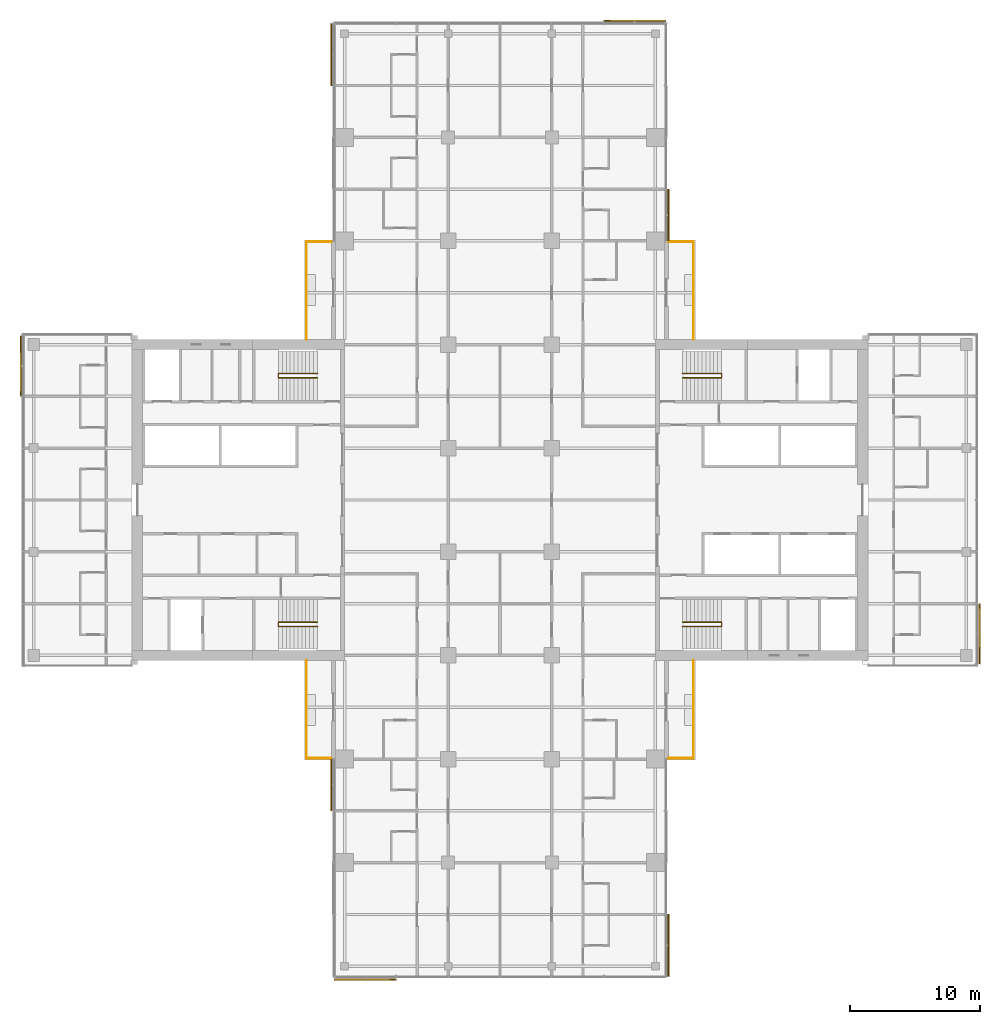
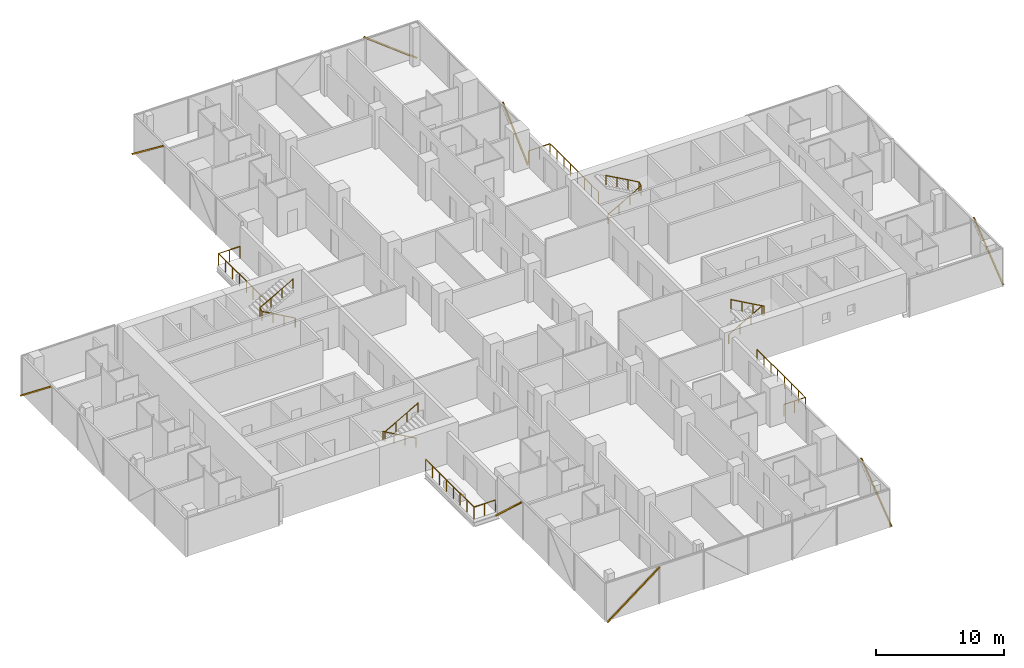
# One storey, part 27 of 27: 8 railings, 8 shading devices, 8 elements without a shape of their own.
"""IFC4 building model written with IfcOpenShell, lengths in metres."""

import ifcopenshell
import ifcopenshell.guid

model = None  # the IFC model being written
_history = None  # IfcOwnerHistory: only IFC2X3 demands one
_inside = {}  # id of a spatial element -> (the spatial element, [elements in it])
_under = {}  # id of a project, library or spatial element -> (it, [spatial elements below it])
_declared = {}  # id of a project -> (the project, [libraries it declares])
_typed = {}  # id of a type object -> (the type object, [elements of that type])
_made_of = {}  # id of a material, layer set ... -> (it, [elements and type objects made of it])


def new_model(schema):
    """Start an empty IFC model of exactly this schema.

    Asked for "IFC4X3", IfcOpenShell would pick the latest addendum, in which some entities
    have other attributes; the version numbers below select the first issue.
    IFC2X3 requires an IfcOwnerHistory on every rooted entity: one is made here for all.
    """
    global model, _history
    if schema == "IFC4X3":
        model = ifcopenshell.file(schema_version=(4, 3, 0, 0))
    else:
        model = ifcopenshell.file(schema=schema)
    _inside.clear()
    _under.clear()
    _declared.clear()
    _typed.clear()
    _made_of.clear()
    _history = None
    if model.schema == "IFC2X3":
        org = make("IfcOrganization", Name="unknown")
        user = make(
            "IfcPersonAndOrganization",
            ThePerson=make("IfcPerson", FamilyName="unknown"),
            TheOrganization=org,
        )
        app = make(
            "IfcApplication",
            ApplicationDeveloper=org,
            Version="unknown",
            ApplicationFullName="unknown",
            ApplicationIdentifier="unknown",
        )
        _history = make(
            "IfcOwnerHistory",
            OwningUser=user,
            OwningApplication=app,
            ChangeAction="ADDED",
            CreationDate=0,
        )
    return model


def make(cls, **values):
    """One entity of the class cls with the attributes given. An attribute that is None is left unset."""
    return model.create_entity(
        cls, **{name: value for name, value in values.items() if value is not None}
    )


def rooted(cls, **values):
    """An entity with a GlobalId (a new one), such as an element, a storey or a relation."""
    return make(cls, GlobalId=ifcopenshell.guid.new(), OwnerHistory=_history, **values)


def si_unit(unit_type, name, prefix=None):
    """IfcSIUnit, for example si_unit("LENGTHUNIT", "METRE", prefix="MILLI")."""
    return make("IfcSIUnit", UnitType=unit_type, Prefix=prefix, Name=name)


def assignment(units):
    """IfcUnitAssignment: the units of a project."""
    return None if units is None else make("IfcUnitAssignment", Units=units)


def point(xyz):
    """IfcCartesianPoint."""
    return None if xyz is None else make("IfcCartesianPoint", Coordinates=xyz)


def direction(xyz):
    """IfcDirection."""
    return None if xyz is None else make("IfcDirection", DirectionRatios=xyz)


def frame(location, z_axis=None, x_axis=None):
    """IfcAxis2Placement3D, a coordinate frame: its origin and axes. An axis left out is left unset."""
    return make(
        "IfcAxis2Placement3D",
        Location=point(location),
        Axis=direction(z_axis),
        RefDirection=direction(x_axis),
    )


def frame_2d(location, x_axis=None):
    """IfcAxis2Placement2D, a coordinate frame in the plane: its origin and x axis."""
    return make(
        "IfcAxis2Placement2D", Location=point(location), RefDirection=direction(x_axis)
    )


def origin():
    """The frame at (0, 0, 0) with its axes left unset."""
    return frame((0.0, 0.0, 0.0))


def origin_2d():
    """The frame at (0, 0) in the plane with its x axis left unset."""
    return frame_2d((0.0, 0.0))


def place(relative_to, where):
    """IfcLocalPlacement: puts the frame where relative to a parent placement (None: the world)."""
    return make(
        "IfcLocalPlacement", PlacementRelTo=relative_to, RelativePlacement=where
    )


def context(
    kind, dimensions, precision=None, world=None, true_north=None, identifier=None
):
    """IfcGeometricRepresentationContext, for example the 3D "Model" context."""
    return make(
        "IfcGeometricRepresentationContext",
        ContextIdentifier=identifier,
        ContextType=kind,
        CoordinateSpaceDimension=dimensions,
        Precision=precision,
        WorldCoordinateSystem=world,
        TrueNorth=true_north,
    )


def subcontext(parent, identifier, kind, view, scale=None):
    """IfcGeometricRepresentationSubContext, for example "Body" below "Model"."""
    return make(
        "IfcGeometricRepresentationSubContext",
        ContextIdentifier=identifier,
        ContextType=kind,
        ParentContext=parent,
        TargetScale=scale,
        TargetView=view,
    )


def project(units=None, contexts=None):
    """IfcProject with its units and contexts."""
    return rooted(
        "IfcProject",
        Name="project",
        RepresentationContexts=contexts,
        UnitsInContext=assignment(units),
    )


def spatial(cls, under=None, at=None, **own):
    """A site, building, storey or space (cls), placed at a placement, below another one or the project."""
    s = rooted(cls, ObjectPlacement=at, **own)
    if under is not None:
        _under.setdefault(under.id(), (under, []))[1].append(s)
    return s


def profile(cls, at=None, kind="AREA", **sizes):
    """A parametric profile (cls). Its sizes go by their IFC names, for example OverallWidth=200.0."""
    return make(cls, ProfileType=kind, Position=at, **sizes)


def rectangle(**sizes):
    """IfcRectangleProfileDef."""
    return profile("IfcRectangleProfileDef", **sizes)


def circle(**sizes):
    """IfcCircleProfileDef."""
    return profile("IfcCircleProfileDef", **sizes)


def extrude(swept, where, along, depth):
    """IfcExtrudedAreaSolid: the profile swept, set in the frame where, extruded along a direction by depth."""
    return make(
        "IfcExtrudedAreaSolid",
        SweptArea=swept,
        Position=where,
        ExtrudedDirection=direction(along),
        Depth=depth,
    )


def shape(context_of_items, identifier, shape_type, items):
    """IfcShapeRepresentation: the items that make up one representation, for example the "Body"."""
    return make(
        "IfcShapeRepresentation",
        ContextOfItems=context_of_items,
        RepresentationIdentifier=identifier,
        RepresentationType=shape_type,
        Items=items,
    )


def material(Name=None, Category=None):
    """IfcMaterial."""
    return make("IfcMaterial", Name=Name, Category=Category)


def material_profile(
    of_material, cross_section, Name=None, Category=None, Priority=None
):
    """IfcMaterialProfile: a cross section and its material."""
    return make(
        "IfcMaterialProfile",
        Name=Name,
        Material=of_material,
        Profile=cross_section,
        Priority=Priority,
        Category=Category,
    )


def profile_set(profiles, Name=None, composite=None):
    """IfcMaterialProfileSet."""
    return make(
        "IfcMaterialProfileSet",
        Name=Name,
        MaterialProfiles=profiles,
        CompositeProfile=composite,
    )


def made_of(thing, what):
    """Note that an element or type object is made of a material, layer set ...; save() writes the relation."""
    if what is not None:
        _made_of.setdefault(what.id(), (what, []))[1].append(thing)
    return thing


def type_object(cls, material=None, **own):
    """A type object (cls), such as IfcWallType, which elements share."""
    return made_of(rooted(cls, **own), material)


def element(
    cls,
    number,
    at=None,
    inside=None,
    cuts=None,
    type_object=None,
    material=None,
    context=None,
    identifier="Body",
    shape_type=None,
    held_by="IfcProductDefinitionShape",
    body=None,
    shapes=None,
    **own,
):
    """One element of the class cls, such as IfcWall. Its Tag is "e" and its number.

    at: its placement. inside: the storey or other place that contains it. cuts: it is an
    opening in that element (IfcRelVoidsElement). A single representation is given by context,
    identifier, shape_type and body (its items); several are given by shapes. held_by: the class
    of the entity that holds the representations. save() writes the other relations.
    """
    e = rooted(cls, Tag="e%d" % number, ObjectPlacement=at, **own)
    if body is not None:
        shapes = [shape(context, identifier, shape_type, body)]
    if shapes is not None:
        e.Representation = make(held_by, Representations=shapes)
    if inside is not None:
        _inside.setdefault(inside.id(), (inside, []))[1].append(e)
    if cuts is not None:
        rooted(
            "IfcRelVoidsElement", RelatingBuildingElement=cuts, RelatedOpeningElement=e
        )
    if type_object is not None:
        _typed.setdefault(type_object.id(), (type_object, []))[1].append(e)
    return made_of(e, material)


def aggregate(whole, parts):
    """IfcRelAggregates: a whole, such as a stair, and the parts it consists of."""
    return rooted("IfcRelAggregates", RelatingObject=whole, RelatedObjects=parts)


def save(model, path):
    """Write the relations noted so far, then the file.

    IfcRelAggregates (storeys below a building ...), IfcRelContainedInSpatialStructure (elements
    in a storey), IfcRelDefinesByType, IfcRelAssociatesMaterial and IfcRelDeclares: one each for
    every whole, place, type object, material and project.
    """
    for whole, parts in _under.values():
        aggregate(whole, parts)
    for where, things in _inside.values():
        rooted(
            "IfcRelContainedInSpatialStructure",
            RelatedElements=things,
            RelatingStructure=where,
        )
    for kind, things in _typed.values():
        rooted("IfcRelDefinesByType", RelatedObjects=things, RelatingType=kind)
    for what, things in _made_of.values():
        rooted("IfcRelAssociatesMaterial", RelatedObjects=things, RelatingMaterial=what)
    for by, libraries in _declared.values():
        rooted("IfcRelDeclares", RelatingContext=by, RelatedDefinitions=libraries)
    model.write(path)


model = new_model("IFC4")

# Units and contexts
model_context = context("Model", 3, precision=1e-05, world=origin(), true_north=direction((0.0, 1.0)))
body_context = subcontext(model_context, "Body", "Model", "MODEL_VIEW")
ifc_project = project(units=[si_unit("LENGTHUNIT", "METRE"), si_unit("AREAUNIT", "SQUARE_METRE"), si_unit("VOLUMEUNIT", "CUBIC_METRE"), si_unit("PLANEANGLEUNIT", "RADIAN"), si_unit("MASSUNIT", "GRAM", prefix="KILO")], contexts=[model_context])

# Site, building, storey
site_placement = place(None, origin())
site = spatial("IfcSite", under=ifc_project, at=site_placement, CompositionType="ELEMENT")
building_placement = place(site_placement, origin())
building = spatial("IfcBuilding", under=site, at=building_placement, Name="Crosswind Convention Tower", CompositionType="ELEMENT")
storey_placement = place(building_placement, frame((0.0, 0.0, 68.300048828125)))
storey = spatial("IfcBuildingStorey", under=building, at=storey_placement, Name="L11", CompositionType="ELEMENT", Elevation=68.300048828125)

# Railings
ifc_material_1 = material(Name="Steel and laminated glass balustrade", Category="steel")
railing_type_1 = type_object("IfcRailingType", Name="BALCONY BALUSTRADE 1150", PredefinedType="BALUSTRADE", material=ifc_material_1)
railing_1_placement = place(storey_placement, frame((139.93994140625, 112.39990234375, 0.0)))
element("IfcRailing", 1, at=railing_1_placement, inside=storey, type_object=railing_type_1, Name="R11 balcony balustrade L11 N-E.1-1", PredefinedType="BALUSTRADE", context=body_context, shape_type="SweptSolid", body=[
    extrude(circle(Radius=0.02392578125, at=origin_2d()), frame((0.0, 0.0, 1.1259765625), z_axis=(0.0, 1.0, 0.0), x_axis=(-1.0, 0.0, 0.0)), (0.0, 0.0, 1.0), 7.5400390625),
    extrude(circle(Radius=0.02392578125, at=origin_2d()), frame((0.0, 7.5400390625, 1.1259765625), z_axis=(-1.0, 0.0, 0.0), x_axis=(0.0, -1.0, 0.0)), (0.0, 0.0, 1.0), 1.9189453125),
    extrude(circle(Radius=0.02099609375, at=origin_2d()), origin(), (0.0, 0.0, 1.0), 1.101806640625),
    extrude(circle(Radius=0.02099609375, at=origin_2d()), frame((0.0, 1.0771484375, 0.0)), (0.0, 0.0, 1.0), 1.101806640625),
    extrude(circle(Radius=0.02099609375, at=origin_2d()), frame((0.0, 2.154296875, 0.0)), (0.0, 0.0, 1.0), 1.101806640625),
    extrude(circle(Radius=0.02099609375, at=origin_2d()), frame((0.0, 3.2314453125, 0.0)), (0.0, 0.0, 1.0), 1.101806640625),
    extrude(circle(Radius=0.02099609375, at=origin_2d()), frame((0.0, 4.30859375, 0.0)), (0.0, 0.0, 1.0), 1.101806640625),
    extrude(circle(Radius=0.02099609375, at=origin_2d()), frame((0.0, 5.3857421875, 0.0)), (0.0, 0.0, 1.0), 1.101806640625),
    extrude(circle(Radius=0.02099609375, at=origin_2d()), frame((0.0, 6.462890625, 0.0)), (0.0, 0.0, 1.0), 1.101806640625),
    extrude(circle(Radius=0.02099609375, at=origin_2d()), frame((0.0, 7.5400390625, 0.0)), (0.0, 0.0, 1.0), 1.101806640625),
    extrude(circle(Radius=0.02099609375, at=origin_2d()), frame((-0.95947265625, 7.5400390625, 0.0)), (0.0, 0.0, 1.0), 1.101806640625),
    extrude(circle(Radius=0.02099609375, at=origin_2d()), frame((-1.9189453125, 7.5400390625, 0.0)), (0.0, 0.0, 1.0), 1.101806640625),
])
railing_2_placement = place(storey_placement, frame((110.06005859375, 112.39990234375, 0.0)))
element("IfcRailing", 2, at=railing_2_placement, inside=storey, type_object=railing_type_1, Name="R11 balcony balustrade L11 N-W.1-3", PredefinedType="BALUSTRADE", context=body_context, shape_type="SweptSolid", body=[
    extrude(circle(Radius=0.02392578125, at=origin_2d()), frame((0.0, 0.0, 1.1259765625), z_axis=(0.0, 1.0, 0.0), x_axis=(-1.0, 0.0, 0.0)), (0.0, 0.0, 1.0), 7.5400390625),
    extrude(circle(Radius=0.02392578125, at=origin_2d()), frame((0.0, 7.5400390625, 1.1259765625), z_axis=(1.0, 0.0, 0.0), x_axis=(0.0, 1.0, 0.0)), (0.0, 0.0, 1.0), 1.9189453125),
    extrude(circle(Radius=0.02099609375, at=origin_2d()), origin(), (0.0, 0.0, 1.0), 1.101806640625),
    extrude(circle(Radius=0.02099609375, at=origin_2d()), frame((0.0, 1.0771484375, 0.0)), (0.0, 0.0, 1.0), 1.101806640625),
    extrude(circle(Radius=0.02099609375, at=origin_2d()), frame((0.0, 2.154296875, 0.0)), (0.0, 0.0, 1.0), 1.101806640625),
    extrude(circle(Radius=0.02099609375, at=origin_2d()), frame((0.0, 3.2314453125, 0.0)), (0.0, 0.0, 1.0), 1.101806640625),
    extrude(circle(Radius=0.02099609375, at=origin_2d()), frame((0.0, 4.30859375, 0.0)), (0.0, 0.0, 1.0), 1.101806640625),
    extrude(circle(Radius=0.02099609375, at=origin_2d()), frame((0.0, 5.3857421875, 0.0)), (0.0, 0.0, 1.0), 1.101806640625),
    extrude(circle(Radius=0.02099609375, at=origin_2d()), frame((0.0, 6.462890625, 0.0)), (0.0, 0.0, 1.0), 1.101806640625),
    extrude(circle(Radius=0.02099609375, at=origin_2d()), frame((0.0, 7.5400390625, 0.0)), (0.0, 0.0, 1.0), 1.101806640625),
    extrude(circle(Radius=0.02099609375, at=origin_2d()), frame((0.95947265625, 7.5400390625, 0.0)), (0.0, 0.0, 1.0), 1.101806640625),
    extrude(circle(Radius=0.02099609375, at=origin_2d()), frame((1.9189453125, 7.5400390625, 0.0)), (0.0, 0.0, 1.0), 1.101806640625),
])
railing_3_placement = place(storey_placement, frame((110.06005859375, 87.60009765625, 0.0)))
element("IfcRailing", 3, at=railing_3_placement, inside=storey, type_object=railing_type_1, Name="R11 balcony balustrade L11 S-W.1-1", PredefinedType="BALUSTRADE", context=body_context, shape_type="SweptSolid", body=[
    extrude(circle(Radius=0.02392578125, at=origin_2d()), frame((0.0, 0.0, 1.1259765625), z_axis=(0.0, -1.0, 0.0), x_axis=(1.0, 0.0, 0.0)), (0.0, 0.0, 1.0), 7.5400390625),
    extrude(circle(Radius=0.02392578125, at=origin_2d()), frame((0.0, -7.5400390625, 1.1259765625), z_axis=(1.0, 0.0, 0.0), x_axis=(0.0, 1.0, 0.0)), (0.0, 0.0, 1.0), 1.9189453125),
    extrude(circle(Radius=0.02099609375, at=origin_2d()), origin(), (0.0, 0.0, 1.0), 1.101806640625),
    extrude(circle(Radius=0.02099609375, at=origin_2d()), frame((0.0, -1.0771484375, 0.0)), (0.0, 0.0, 1.0), 1.101806640625),
    extrude(circle(Radius=0.02099609375, at=origin_2d()), frame((0.0, -2.154296875, 0.0)), (0.0, 0.0, 1.0), 1.101806640625),
    extrude(circle(Radius=0.02099609375, at=origin_2d()), frame((0.0, -3.2314453125, 0.0)), (0.0, 0.0, 1.0), 1.101806640625),
    extrude(circle(Radius=0.02099609375, at=origin_2d()), frame((0.0, -4.30859375, 0.0)), (0.0, 0.0, 1.0), 1.101806640625),
    extrude(circle(Radius=0.02099609375, at=origin_2d()), frame((0.0, -5.3857421875, 0.0)), (0.0, 0.0, 1.0), 1.101806640625),
    extrude(circle(Radius=0.02099609375, at=origin_2d()), frame((0.0, -6.462890625, 0.0)), (0.0, 0.0, 1.0), 1.101806640625),
    extrude(circle(Radius=0.02099609375, at=origin_2d()), frame((0.0, -7.5400390625, 0.0)), (0.0, 0.0, 1.0), 1.101806640625),
    extrude(circle(Radius=0.02099609375, at=origin_2d()), frame((0.95947265625, -7.5400390625, 0.0)), (0.0, 0.0, 1.0), 1.101806640625),
    extrude(circle(Radius=0.02099609375, at=origin_2d()), frame((1.9189453125, -7.5400390625, 0.0)), (0.0, 0.0, 1.0), 1.101806640625),
])
railing_4_placement = place(storey_placement, frame((139.93994140625, 87.60009765625, 0.0)))
element("IfcRailing", 4, at=railing_4_placement, inside=storey, type_object=railing_type_1, Name="R11 balcony balustrade L11 S-E.1-3", PredefinedType="BALUSTRADE", context=body_context, shape_type="SweptSolid", body=[
    extrude(circle(Radius=0.02392578125, at=origin_2d()), frame((0.0, 0.0, 1.1259765625), z_axis=(0.0, -1.0, 0.0), x_axis=(1.0, 0.0, 0.0)), (0.0, 0.0, 1.0), 7.5400390625),
    extrude(circle(Radius=0.02392578125, at=origin_2d()), frame((0.0, -7.5400390625, 1.1259765625), z_axis=(-1.0, 0.0, 0.0), x_axis=(0.0, -1.0, 0.0)), (0.0, 0.0, 1.0), 1.9189453125),
    extrude(circle(Radius=0.02099609375, at=origin_2d()), origin(), (0.0, 0.0, 1.0), 1.101806640625),
    extrude(circle(Radius=0.02099609375, at=origin_2d()), frame((0.0, -1.0771484375, 0.0)), (0.0, 0.0, 1.0), 1.101806640625),
    extrude(circle(Radius=0.02099609375, at=origin_2d()), frame((0.0, -2.154296875, 0.0)), (0.0, 0.0, 1.0), 1.101806640625),
    extrude(circle(Radius=0.02099609375, at=origin_2d()), frame((0.0, -3.2314453125, 0.0)), (0.0, 0.0, 1.0), 1.101806640625),
    extrude(circle(Radius=0.02099609375, at=origin_2d()), frame((0.0, -4.30859375, 0.0)), (0.0, 0.0, 1.0), 1.101806640625),
    extrude(circle(Radius=0.02099609375, at=origin_2d()), frame((0.0, -5.3857421875, 0.0)), (0.0, 0.0, 1.0), 1.101806640625),
    extrude(circle(Radius=0.02099609375, at=origin_2d()), frame((0.0, -6.462890625, 0.0)), (0.0, 0.0, 1.0), 1.101806640625),
    extrude(circle(Radius=0.02099609375, at=origin_2d()), frame((0.0, -7.5400390625, 0.0)), (0.0, 0.0, 1.0), 1.101806640625),
    extrude(circle(Radius=0.02099609375, at=origin_2d()), frame((-0.95947265625, -7.5400390625, 0.0)), (0.0, 0.0, 1.0), 1.101806640625),
    extrude(circle(Radius=0.02099609375, at=origin_2d()), frame((-1.9189453125, -7.5400390625, 0.0)), (0.0, 0.0, 1.0), 1.101806640625),
])
ifc_material_2 = material(Name="Stainless steel", Category="steel")
railing_type_2 = type_object("IfcRailingType", Name="Stair handrail 900", PredefinedType="HANDRAIL", material=ifc_material_2)
railing_5_placement = place(storey_placement, frame((139.10009765625, 109.43994140625, 0.168212890625)))
element("IfcRailing", 5, at=railing_5_placement, inside=storey, type_object=railing_type_2, Name="Stair ST1 handrail L11", PredefinedType="HANDRAIL", context=body_context, shape_type="SweptSolid", body=[
    extrude(circle(Radius=0.02392578125, at=origin_2d()), frame((0.0, 0.0, 0.8759765625), z_axis=(0.872302573547, 0.0, 0.488966481656), x_axis=(0.0, 1.0, 0.0)), (0.0, 0.0, 1.0), 3.439208984375),
    extrude(circle(Radius=0.02392578125, at=origin_2d()), frame((3.0, 0.0, 2.5576171875), z_axis=(0.0, 0.885196349292, 0.465217608438), x_axis=(-1.0, 0.0, 0.0)), (0.0, 0.0, 1.0), 0.361572265625),
    extrude(circle(Radius=0.02392578125, at=origin_2d()), frame((3.0, 0.320068359375, 2.7255859375), z_axis=(-0.872272294576, 0.0, 0.489020494575), x_axis=(0.0, -1.0, 0.0)), (0.0, 0.0, 1.0), 3.439208984375),
    extrude(circle(Radius=0.02099609375, at=origin_2d()), origin(), (0.0, 0.0, 1.0), 0.851806640625),
    extrude(circle(Radius=0.02099609375, at=origin_2d()), frame((1.0, 0.0, 0.560546875)), (0.0, 0.0, 1.0), 0.851806640625),
    extrude(circle(Radius=0.02099609375, at=origin_2d()), frame((2.0, 0.0, 1.12109375)), (0.0, 0.0, 1.0), 0.851806640625),
    extrude(circle(Radius=0.02099609375, at=origin_2d()), frame((3.0, 0.0, 1.681640625)), (0.0, 0.0, 1.0), 0.851806640625),
    extrude(circle(Radius=0.02099609375, at=origin_2d()), frame((3.0, 0.320068359375, 1.849853515625)), (0.0, 0.0, 1.0), 0.851806640625),
    extrude(circle(Radius=0.02099609375, at=origin_2d()), frame((2.0, 0.320068359375, 2.410400390625)), (0.0, 0.0, 1.0), 0.851806640625),
    extrude(circle(Radius=0.02099609375, at=origin_2d()), frame((1.0, 0.320068359375, 2.97119140625)), (0.0, 0.0, 1.0), 0.851806640625),
    extrude(circle(Radius=0.02099609375, at=origin_2d()), frame((0.0, 0.320068359375, 3.53173828125)), (0.0, 0.0, 1.0), 0.851806640625),
])
railing_6_placement = place(storey_placement, frame((139.10009765625, 90.56005859375, 0.168212890625)))
element("IfcRailing", 6, at=railing_6_placement, inside=storey, type_object=railing_type_2, Name="Stair ST2 handrail L11", PredefinedType="HANDRAIL", context=body_context, shape_type="SweptSolid", body=[
    extrude(circle(Radius=0.02392578125, at=origin_2d()), frame((0.0, 0.0, 0.8759765625), z_axis=(0.872302573547, 0.0, 0.488966481656), x_axis=(0.0, 1.0, 0.0)), (0.0, 0.0, 1.0), 3.439208984375),
    extrude(circle(Radius=0.02392578125, at=origin_2d()), frame((3.0, 0.0, 2.5576171875), z_axis=(0.0, -0.885196349292, 0.465217608438), x_axis=(1.0, 0.0, 0.0)), (0.0, 0.0, 1.0), 0.361572265625),
    extrude(circle(Radius=0.02392578125, at=origin_2d()), frame((3.0, -0.320068359375, 2.7255859375), z_axis=(-0.872272294576, 0.0, 0.489020494575), x_axis=(0.0, -1.0, 0.0)), (0.0, 0.0, 1.0), 3.439208984375),
    extrude(circle(Radius=0.02099609375, at=origin_2d()), origin(), (0.0, 0.0, 1.0), 0.851806640625),
    extrude(circle(Radius=0.02099609375, at=origin_2d()), frame((1.0, 0.0, 0.560546875)), (0.0, 0.0, 1.0), 0.851806640625),
    extrude(circle(Radius=0.02099609375, at=origin_2d()), frame((2.0, 0.0, 1.12109375)), (0.0, 0.0, 1.0), 0.851806640625),
    extrude(circle(Radius=0.02099609375, at=origin_2d()), frame((3.0, 0.0, 1.681640625)), (0.0, 0.0, 1.0), 0.851806640625),
    extrude(circle(Radius=0.02099609375, at=origin_2d()), frame((3.0, -0.320068359375, 1.849853515625)), (0.0, 0.0, 1.0), 0.851806640625),
    extrude(circle(Radius=0.02099609375, at=origin_2d()), frame((2.0, -0.320068359375, 2.410400390625)), (0.0, 0.0, 1.0), 0.851806640625),
    extrude(circle(Radius=0.02099609375, at=origin_2d()), frame((1.0, -0.320068359375, 2.97119140625)), (0.0, 0.0, 1.0), 0.851806640625),
    extrude(circle(Radius=0.02099609375, at=origin_2d()), frame((0.0, -0.320068359375, 3.53173828125)), (0.0, 0.0, 1.0), 0.851806640625),
])
railing_7_placement = place(storey_placement, frame((110.89990234375, 90.56005859375, 0.168212890625)))
element("IfcRailing", 7, at=railing_7_placement, inside=storey, type_object=railing_type_2, Name="Stair ST3 handrail L11", PredefinedType="HANDRAIL", context=body_context, shape_type="SweptSolid", body=[
    extrude(circle(Radius=0.02392578125, at=origin_2d()), frame((0.0, 0.0, 0.8759765625), z_axis=(-0.872302573547, 0.0, 0.488966481656), x_axis=(0.0, -1.0, 0.0)), (0.0, 0.0, 1.0), 3.439208984375),
    extrude(circle(Radius=0.02392578125, at=origin_2d()), frame((-3.0, 0.0, 2.5576171875), z_axis=(0.0, -0.885196349292, 0.465217608438), x_axis=(1.0, 0.0, 0.0)), (0.0, 0.0, 1.0), 0.361572265625),
    extrude(circle(Radius=0.02392578125, at=origin_2d()), frame((-3.0, -0.320068359375, 2.7255859375), z_axis=(0.872272294576, 0.0, 0.489020494575), x_axis=(0.0, 1.0, 0.0)), (0.0, 0.0, 1.0), 3.439208984375),
    extrude(circle(Radius=0.02099609375, at=origin_2d()), origin(), (0.0, 0.0, 1.0), 0.851806640625),
    extrude(circle(Radius=0.02099609375, at=origin_2d()), frame((-1.0, 0.0, 0.560546875)), (0.0, 0.0, 1.0), 0.851806640625),
    extrude(circle(Radius=0.02099609375, at=origin_2d()), frame((-2.0, 0.0, 1.12109375)), (0.0, 0.0, 1.0), 0.851806640625),
    extrude(circle(Radius=0.02099609375, at=origin_2d()), frame((-3.0, 0.0, 1.681640625)), (0.0, 0.0, 1.0), 0.851806640625),
    extrude(circle(Radius=0.02099609375, at=origin_2d()), frame((-3.0, -0.320068359375, 1.849853515625)), (0.0, 0.0, 1.0), 0.851806640625),
    extrude(circle(Radius=0.02099609375, at=origin_2d()), frame((-2.0, -0.320068359375, 2.410400390625)), (0.0, 0.0, 1.0), 0.851806640625),
    extrude(circle(Radius=0.02099609375, at=origin_2d()), frame((-1.0, -0.320068359375, 2.97119140625)), (0.0, 0.0, 1.0), 0.851806640625),
    extrude(circle(Radius=0.02099609375, at=origin_2d()), frame((0.0, -0.320068359375, 3.53173828125)), (0.0, 0.0, 1.0), 0.851806640625),
])
railing_8_placement = place(storey_placement, frame((110.89990234375, 109.43994140625, 0.168212890625)))
element("IfcRailing", 8, at=railing_8_placement, inside=storey, type_object=railing_type_2, Name="Stair ST4 handrail L11", PredefinedType="HANDRAIL", context=body_context, shape_type="SweptSolid", body=[
    extrude(circle(Radius=0.02392578125, at=origin_2d()), frame((0.0, 0.0, 0.8759765625), z_axis=(-0.872302573547, 0.0, 0.488966481656), x_axis=(0.0, -1.0, 0.0)), (0.0, 0.0, 1.0), 3.439208984375),
    extrude(circle(Radius=0.02392578125, at=origin_2d()), frame((-3.0, 0.0, 2.5576171875), z_axis=(0.0, 0.885196349292, 0.465217608438), x_axis=(-1.0, 0.0, 0.0)), (0.0, 0.0, 1.0), 0.361572265625),
    extrude(circle(Radius=0.02392578125, at=origin_2d()), frame((-3.0, 0.320068359375, 2.7255859375), z_axis=(0.872272294576, 0.0, 0.489020494575), x_axis=(0.0, 1.0, 0.0)), (0.0, 0.0, 1.0), 3.439208984375),
    extrude(circle(Radius=0.02099609375, at=origin_2d()), origin(), (0.0, 0.0, 1.0), 0.851806640625),
    extrude(circle(Radius=0.02099609375, at=origin_2d()), frame((-1.0, 0.0, 0.560546875)), (0.0, 0.0, 1.0), 0.851806640625),
    extrude(circle(Radius=0.02099609375, at=origin_2d()), frame((-2.0, 0.0, 1.12109375)), (0.0, 0.0, 1.0), 0.851806640625),
    extrude(circle(Radius=0.02099609375, at=origin_2d()), frame((-3.0, 0.0, 1.681640625)), (0.0, 0.0, 1.0), 0.851806640625),
    extrude(circle(Radius=0.02099609375, at=origin_2d()), frame((-3.0, 0.320068359375, 1.849853515625)), (0.0, 0.0, 1.0), 0.851806640625),
    extrude(circle(Radius=0.02099609375, at=origin_2d()), frame((-2.0, 0.320068359375, 2.410400390625)), (0.0, 0.0, 1.0), 0.851806640625),
    extrude(circle(Radius=0.02099609375, at=origin_2d()), frame((-1.0, 0.320068359375, 2.97119140625)), (0.0, 0.0, 1.0), 0.851806640625),
    extrude(circle(Radius=0.02099609375, at=origin_2d()), frame((0.0, 0.320068359375, 3.53173828125)), (0.0, 0.0, 1.0), 0.851806640625),
])

# Curtain wall, shading device
ifc_material_3 = material(Name="Aluminium unitised curtain wall", Category="aluminium")
curtain_wall_type = type_object("IfcCurtainWallType", Name="HOTEL UNITISED WALL 200", PredefinedType="USERDEFINED", material=ifc_material_3)
curtain_wall_1_placement = place(storey_placement, origin())
curtain_wall_1 = element("IfcCurtainWall", 9, at=curtain_wall_1_placement, inside=storey, type_object=curtain_wall_type, Name="CW2 L11 E-TIP 1", ObjectType="UNITISED", PredefinedType="USERDEFINED")
ifc_material_4 = material(Name="Extruded terracotta", Category="masonry")
ifc_material_profile = material_profile(ifc_material_4, rectangle(XDim=0.10009765625, YDim=0.1201171875, at=origin_2d()), Name="TC 100X120")
ifc_profile_set = profile_set([ifc_material_profile], Name="Extruded terracotta")
shading_device_type = type_object("IfcShadingDeviceType", Name="TERRACOTTA BAGUETTE 120X100", PredefinedType="USERDEFINED", material=ifc_profile_set)
shading_device_1_placement = place(storey_placement, frame((162.008056640625, 87.364990234375, -0.280029296875), z_axis=(0.0, 0.784764474718, 0.619794094212), x_axis=(-1.0, 0.0, 0.0)))
shading_device_1 = element("IfcShadingDevice", 10, at=shading_device_1_placement, type_object=shading_device_type, Name="CW2 terracotta baguette 1", ObjectType="BAGUETTE", PredefinedType="USERDEFINED", context=body_context, shape_type="SweptSolid", body=[
    extrude(rectangle(XDim=0.10009765625, YDim=0.1201171875, at=origin_2d()), origin(), (0.0, 0.0, 1.0), 5.86474609375),
])
aggregate(curtain_wall_1, [shading_device_1])

curtain_wall_2_placement = place(storey_placement, origin())
curtain_wall_2 = element("IfcCurtainWall", 11, at=curtain_wall_2_placement, inside=storey, type_object=curtain_wall_type, Name="CW2 L11 N-E 1", ObjectType="UNITISED", PredefinedType="USERDEFINED")
shading_device_2_placement = place(storey_placement, frame((138.008056640625, 120.032470703125, -0.280029296875), z_axis=(0.0, 0.734557036047, 0.678546948114), x_axis=(-1.0, 0.0, 0.0)))
shading_device_2 = element("IfcShadingDevice", 12, at=shading_device_2_placement, type_object=shading_device_type, Name="CW2 terracotta baguette 1", ObjectType="BAGUETTE", PredefinedType="USERDEFINED", context=body_context, shape_type="SweptSolid", body=[
    extrude(rectangle(XDim=0.10009765625, YDim=0.1201171875, at=origin_2d()), origin(), (0.0, 0.0, 1.0), 5.35693359375),
])
aggregate(curtain_wall_2, [shading_device_2])

curtain_wall_3_placement = place(storey_placement, origin())
curtain_wall_3 = element("IfcCurtainWall", 13, at=curtain_wall_3_placement, inside=storey, type_object=curtain_wall_type, Name="CW2 L11 N-TIP 1", ObjectType="UNITISED", PredefinedType="USERDEFINED")
shading_device_3_placement = place(storey_placement, frame((137.767578125, 137.008056640625, -0.280029296875), z_axis=(-0.793221117913, 0.0, 0.608933705831), x_axis=(0.0, -1.0, 0.0)))
shading_device_3 = element("IfcShadingDevice", 14, at=shading_device_3_placement, type_object=shading_device_type, Name="CW2 terracotta baguette 1", ObjectType="BAGUETTE", PredefinedType="USERDEFINED", context=body_context, shape_type="SweptSolid", body=[
    extrude(rectangle(XDim=0.10009765625, YDim=0.1201171875, at=origin_2d()), origin(), (0.0, 0.0, 1.0), 5.969482421875),
])
aggregate(curtain_wall_3, [shading_device_3])

curtain_wall_4_placement = place(storey_placement, origin())
curtain_wall_4 = element("IfcCurtainWall", 15, at=curtain_wall_4_placement, inside=storey, type_object=curtain_wall_type, Name="CW2 L11 N-W 1", ObjectType="UNITISED", PredefinedType="USERDEFINED")
shading_device_4_placement = place(storey_placement, frame((111.991943359375, 136.767578125, -0.280029296875), z_axis=(0.0, -0.793221117913, 0.608933705831), x_axis=(1.0, 0.0, 0.0)))
shading_device_4 = element("IfcShadingDevice", 16, at=shading_device_4_placement, type_object=shading_device_type, Name="CW2 terracotta baguette 1", ObjectType="BAGUETTE", PredefinedType="USERDEFINED", context=body_context, shape_type="SweptSolid", body=[
    extrude(rectangle(XDim=0.10009765625, YDim=0.1201171875, at=origin_2d()), origin(), (0.0, 0.0, 1.0), 5.969482421875),
])
aggregate(curtain_wall_4, [shading_device_4])

curtain_wall_5_placement = place(storey_placement, origin())
curtain_wall_5 = element("IfcCurtainWall", 17, at=curtain_wall_5_placement, inside=storey, type_object=curtain_wall_type, Name="CW2 L11 W-TIP 1", ObjectType="UNITISED", PredefinedType="USERDEFINED")
shading_device_5_placement = place(storey_placement, frame((87.991943359375, 112.635009765625, -0.280029296875), z_axis=(0.0, -0.784764474718, 0.619794094212), x_axis=(1.0, 0.0, 0.0)))
shading_device_5 = element("IfcShadingDevice", 18, at=shading_device_5_placement, type_object=shading_device_type, Name="CW2 terracotta baguette 1", ObjectType="BAGUETTE", PredefinedType="USERDEFINED", context=body_context, shape_type="SweptSolid", body=[
    extrude(rectangle(XDim=0.10009765625, YDim=0.1201171875, at=origin_2d()), origin(), (0.0, 0.0, 1.0), 5.86474609375),
])
aggregate(curtain_wall_5, [shading_device_5])

curtain_wall_6_placement = place(storey_placement, origin())
curtain_wall_6 = element("IfcCurtainWall", 19, at=curtain_wall_6_placement, inside=storey, type_object=curtain_wall_type, Name="CW2 L11 S-W 1", ObjectType="UNITISED", PredefinedType="USERDEFINED")
shading_device_6_placement = place(storey_placement, frame((111.991943359375, 79.967529296875, -0.280029296875), z_axis=(0.0, -0.734557036047, 0.678546948114), x_axis=(1.0, 0.0, 0.0)))
shading_device_6 = element("IfcShadingDevice", 20, at=shading_device_6_placement, type_object=shading_device_type, Name="CW2 terracotta baguette 1", ObjectType="BAGUETTE", PredefinedType="USERDEFINED", context=body_context, shape_type="SweptSolid", body=[
    extrude(rectangle(XDim=0.10009765625, YDim=0.1201171875, at=origin_2d()), origin(), (0.0, 0.0, 1.0), 5.35693359375),
])
aggregate(curtain_wall_6, [shading_device_6])

curtain_wall_7_placement = place(storey_placement, origin())
curtain_wall_7 = element("IfcCurtainWall", 21, at=curtain_wall_7_placement, inside=storey, type_object=curtain_wall_type, Name="CW2 L11 S-TIP 1", ObjectType="UNITISED", PredefinedType="USERDEFINED")
shading_device_7_placement = place(storey_placement, frame((112.232421875, 62.991943359375, -0.280029296875), z_axis=(0.793221117913, 0.0, 0.608933705831), x_axis=(0.0, 1.0, 0.0)))
shading_device_7 = element("IfcShadingDevice", 22, at=shading_device_7_placement, type_object=shading_device_type, Name="CW2 terracotta baguette 1", ObjectType="BAGUETTE", PredefinedType="USERDEFINED", context=body_context, shape_type="SweptSolid", body=[
    extrude(rectangle(XDim=0.10009765625, YDim=0.1201171875, at=origin_2d()), origin(), (0.0, 0.0, 1.0), 5.969482421875),
])
aggregate(curtain_wall_7, [shading_device_7])

curtain_wall_8_placement = place(storey_placement, origin())
curtain_wall_8 = element("IfcCurtainWall", 23, at=curtain_wall_8_placement, inside=storey, type_object=curtain_wall_type, Name="CW2 L11 S-E 1", ObjectType="UNITISED", PredefinedType="USERDEFINED")
shading_device_8_placement = place(storey_placement, frame((138.008056640625, 63.232421875, -0.280029296875), z_axis=(0.0, 0.793221117913, 0.608933705831), x_axis=(-1.0, 0.0, 0.0)))
shading_device_8 = element("IfcShadingDevice", 24, at=shading_device_8_placement, type_object=shading_device_type, Name="CW2 terracotta baguette 1", ObjectType="BAGUETTE", PredefinedType="USERDEFINED", context=body_context, shape_type="SweptSolid", body=[
    extrude(rectangle(XDim=0.10009765625, YDim=0.1201171875, at=origin_2d()), origin(), (0.0, 0.0, 1.0), 5.969482421875),
])
aggregate(curtain_wall_8, [shading_device_8])

save(model, "model.ifc")
